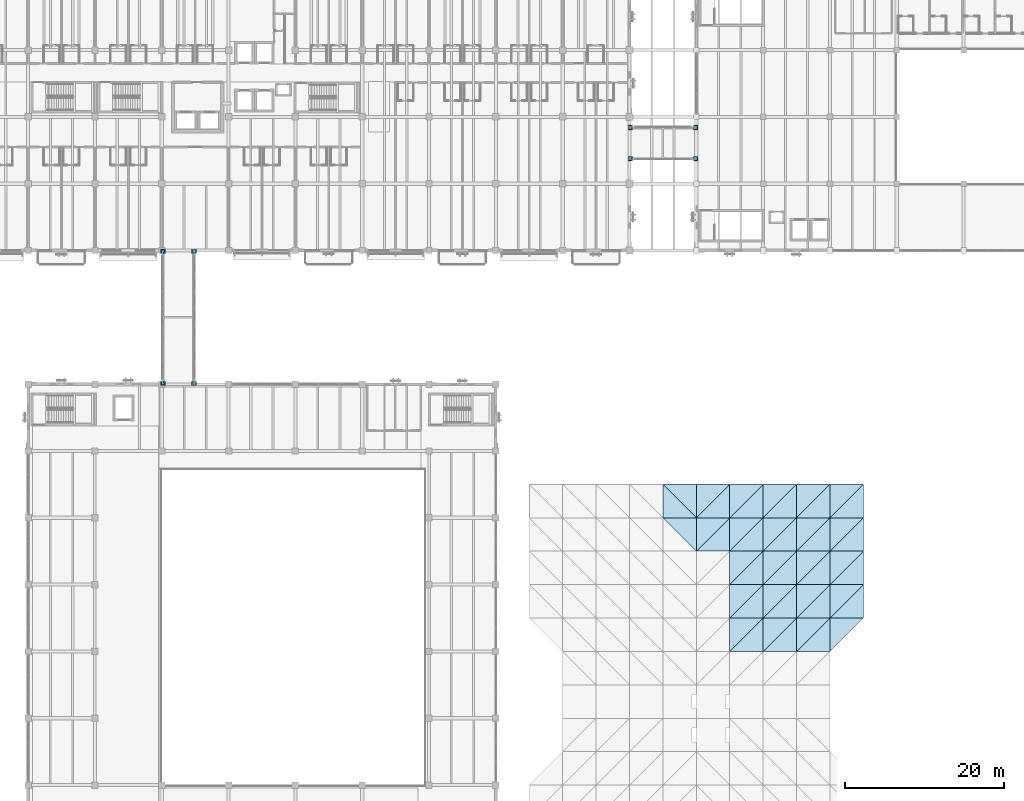
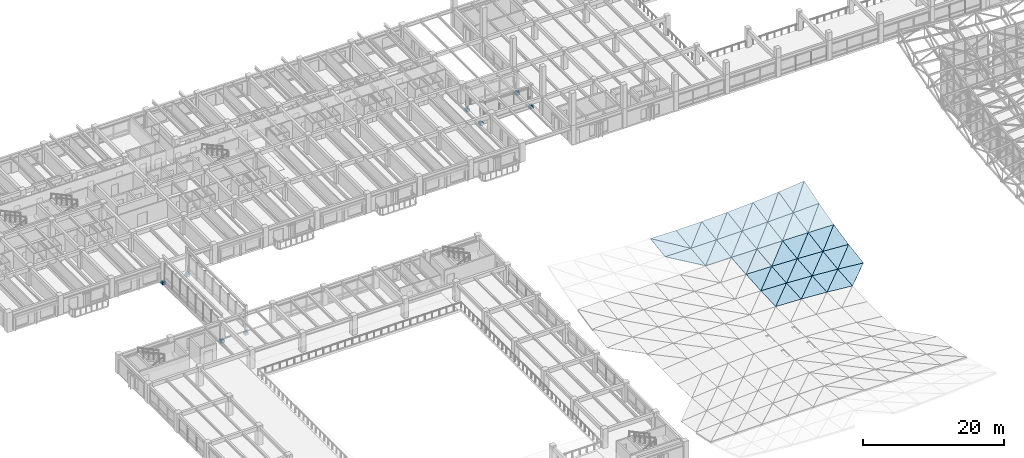
# One storey, part 101 of 123: 46 roofs, 16 discrete accessories.
"""IFC4 building model written with IfcOpenShell, lengths in metres."""

from ifc_helpers import new_model, si_unit, direction, frame, origin, origin_2d, place, context, subcontext, project, spatial, polyline, rectangle, outline, extrude, material, layer, layer_set, type_object, element, save


model = new_model("IFC4")

# Units and contexts
model_context = context("Model", 3, precision=1e-05, world=origin(), true_north=direction((0.0, 1.0)))
body_context = subcontext(model_context, "Body", "Model", "MODEL_VIEW")
ifc_project = project(units=[si_unit("LENGTHUNIT", "METRE"), si_unit("AREAUNIT", "SQUARE_METRE"), si_unit("VOLUMEUNIT", "CUBIC_METRE"), si_unit("PLANEANGLEUNIT", "RADIAN"), si_unit("MASSUNIT", "GRAM", prefix="KILO")], contexts=[model_context])

# Site, building, storey
site_placement = place(None, origin())
site = spatial("IfcSite", under=ifc_project, at=site_placement, CompositionType="ELEMENT")
building_placement = place(site_placement, origin())
building = spatial("IfcBuilding", under=site, at=building_placement, Name="Cumbredor Promenade Congress Hotel", CompositionType="ELEMENT")
storey_placement = place(building_placement, frame((0.0, 0.0, 11.760009765625)))
storey = spatial("IfcBuildingStorey", under=building, at=storey_placement, Name="L03", CompositionType="ELEMENT", Elevation=11.760009765625)

# Roofs
ifc_material_1 = material(Name="Standing-seam zinc-aluminium roofing", Category="aluminium")
ifc_layer = layer(ifc_material_1, 0.050048828125, Name="Standing-seam zinc-aluminium roofing", Category="aluminium")
ifc_layer_set = layer_set([ifc_layer], Name="Standing-seam zinc-aluminium roofing")
roof_type = type_object("IfcRoofType", Name="Sweeping Pavilion Standing-Seam Roof Skin 50mm", PredefinedType="FREEFORM", material=ifc_layer_set)
roof_1_placement = place(storey_placement, frame((92.39990234375, 46.199951171875, 1.74853515625), z_axis=(0.004101183505, -0.112002743884, 0.993699434264), x_axis=(0.0, 0.993707791236, 0.112003685823)))
element("IfcRoof", 1, at=roof_1_placement, inside=storey, type_object=roof_type, Name="Thermal Spa and Hydrotherapy Pavilion Standing-Seam Roof Skin 5.12.2", PredefinedType="FREEFORM", context=body_context, shape_type="SweptSolid", body=[
    extrude(outline(polyline([(0.0, 0.0), (4.226545478377556, 0.0), (4.228486948517547, 4.199986493292828), (0.0, 0.0)])), origin(), (0.0, 0.0, -1.0), 0.050048828125),
])
roof_2_placement = place(storey_placement, frame((88.199951171875, 50.39990234375, 2.2392578125), z_axis=(0.004085862474, -0.141097921799, 0.989987213146), x_axis=(0.999991483272, 0.0, -0.004127151968)))
element("IfcRoof", 2, at=roof_2_placement, inside=storey, type_object=roof_type, Name="Thermal Spa and Hydrotherapy Pavilion Standing-Seam Roof Skin 5.13.1", PredefinedType="FREEFORM", context=body_context, shape_type="SweptSolid", body=[
    extrude(outline(polyline([(0.0, 0.0), (4.199986942021189, 0.0), (-0.0024706485904557735, 4.242640192526839), (0.0, 0.0)])), origin(), (0.0, 0.0, -1.0), 0.050048828125),
])
roof_3_placement = place(storey_placement, frame((92.39990234375, 50.39990234375, 2.221923828125), z_axis=(0.01128982951, -0.134030133758, 0.990912944206), x_axis=(0.0, 0.990976101249, 0.134038676332)))
element("IfcRoof", 3, at=roof_3_placement, inside=storey, type_object=roof_type, Name="Thermal Spa and Hydrotherapy Pavilion Standing-Seam Roof Skin 5.13.2", PredefinedType="FREEFORM", context=body_context, shape_type="SweptSolid", body=[
    extrude(outline(polyline([(0.0, 0.0), (4.238442589286298, 8.673617379884035e-19), (4.244856549384193, 4.200218860879007), (0.0, 0.0)])), origin(), (0.0, 0.0, -1.0), 0.050048828125),
])
roof_4_placement = place(storey_placement, frame((92.39990234375, 46.199951171875, 1.74853515625), z_axis=(0.001962476834, -0.117986347752, 0.993013278073), x_axis=(0.999998047155, 0.0, -0.001976280726)))
element("IfcRoof", 4, at=roof_4_placement, inside=storey, type_object=roof_type, Name="Thermal Spa and Hydrotherapy Pavilion Standing-Seam Roof Skin 6.12.1", PredefinedType="FREEFORM", context=body_context, shape_type="SweptSolid", body=[
    extrude(outline(polyline([(0.0, 0.0), (4.200203514845005, 2.168404344971009e-19), (4.19921730444385, 4.229493263346987), (0.0, 0.0)])), origin(), (0.0, 0.0, -1.0), 0.050048828125),
])
roof_5_placement = place(storey_placement, frame((92.39990234375, 46.199951171875, 1.74853515625), z_axis=(-0.004100945123, -0.112002743994, 0.993699435235), x_axis=(0.704726400074, 0.704685437135, 0.0823355071)))
element("IfcRoof", 5, at=roof_5_placement, inside=storey, type_object=roof_type, Name="Thermal Spa and Hydrotherapy Pavilion Standing-Seam Roof Skin 6.12.2", PredefinedType="FREEFORM", context=body_context, shape_type="SweptSolid", body=[
    extrude(outline(polyline([(0.0, 0.0), (5.9600368484295645, 9.575673587391975e-16), (2.9986211238516898, 2.978583226365211), (0.0, 0.0)])), origin(), (0.0, 0.0, -1.0), 0.050048828125),
])
roof_6_placement = place(storey_placement, frame((92.39990234375, 50.39990234375, 2.221923828125), z_axis=(-0.004085624983, -0.141097921936, 0.989987214106), x_axis=(0.999991484262, 0.0, 0.004126912078)))
element("IfcRoof", 6, at=roof_6_placement, inside=storey, type_object=roof_type, Name="Thermal Spa and Hydrotherapy Pavilion Standing-Seam Roof Skin 6.13.1", PredefinedType="FREEFORM", context=body_context, shape_type="SweptSolid", body=[
    extrude(outline(polyline([(0.0, 0.0), (4.200231080567031, -4.336808689942018e-19), (4.20270158555097, 4.242640192610464), (0.0, 0.0)])), origin(), (0.0, 0.0, -1.0), 0.050048828125),
])
roof_7_placement = place(storey_placement, frame((92.39990234375, 50.39990234375, 2.221923828125), z_axis=(-0.011289173361, -0.134030134751, 0.990912951547), x_axis=(0.703335271872, 0.703335271872, 0.103145483082)))
element("IfcRoof", 7, at=roof_7_placement, inside=storey, type_object=roof_type, Name="Thermal Spa and Hydrotherapy Pavilion Standing-Seam Roof Skin 6.13.2", PredefinedType="FREEFORM", context=body_context, shape_type="SweptSolid", body=[
    extrude(outline(polyline([(0.0, 0.0), (5.971825216895283, 3.677613769070831e-16), (3.012744032330295, 2.981236149373969), (0.0, 0.0)])), origin(), (0.0, 0.0, -1.0), 0.050048828125),
])
roof_8_placement = place(storey_placement, frame((96.60009765625, 33.60009765625, 0.84228515625), z_axis=(0.038685084273, -0.054750703979, 0.997750381944), x_axis=(0.999249200496, 0.0, -0.038743196927)))
element("IfcRoof", 8, at=roof_8_placement, inside=storey, type_object=roof_type, Name="Thermal Spa and Hydrotherapy Pavilion Standing-Seam Roof Skin 7.9.1", PredefinedType="FREEFORM", context=body_context, shape_type="SweptSolid", body=[
    extrude(outline(polyline([(0.0, 0.0), (4.203106862422566, 0.0), (4.194177766255854, 4.206260329806322), (0.0, 0.0)])), origin(), (0.0, 0.0, -1.0), 0.050048828125),
])
roof_9_placement = place(storey_placement, frame((96.60009765625, 33.60009765625, 0.84228515625), z_axis=(0.031339133203, -0.047414947828, 0.998383534246), x_axis=(0.707060952865, 0.707060952865, 0.011384984244)))
element("IfcRoof", 9, at=roof_9_placement, inside=storey, type_object=roof_type, Name="Thermal Spa and Hydrotherapy Pavilion Standing-Seam Roof Skin 7.9.2", PredefinedType="FREEFORM", context=body_context, shape_type="SweptSolid", body=[
    extrude(outline(polyline([(0.0, 0.0), (5.94001288694371, 2.203098814490545e-16), (2.9718923594409286, 2.9744295410662027), (0.0, 0.0)])), origin(), (0.0, 0.0, -1.0), 0.050048828125),
])
roof_10_placement = place(storey_placement, frame((96.60009765625, 37.800048828125, 1.041748046875), z_axis=(0.031269074977, -0.081878651885, 0.996151660801), x_axis=(0.999507701685, 0.0, -0.031374420677)))
element("IfcRoof", 10, at=roof_10_placement, inside=storey, type_object=roof_type, Name="Thermal Spa and Hydrotherapy Pavilion Standing-Seam Roof Skin 7.10.1", PredefinedType="FREEFORM", context=body_context, shape_type="SweptSolid", body=[
    extrude(outline(polyline([(0.0, 0.0), (4.202019819152533, -1.734723475976807e-18), (4.191188903420709, 4.214100832413), (0.0, 0.0)])), origin(), (0.0, 0.0, -1.0), 0.050048828125),
])
roof_11_placement = place(storey_placement, frame((96.60009765625, 37.800048828125, 1.041748046875), z_axis=(0.020463395145, -0.071129138365, 0.997257186053), x_axis=(0.706650933896, 0.706650933896, 0.035901465804)))
element("IfcRoof", 11, at=roof_11_placement, inside=storey, type_object=roof_type, Name="Thermal Spa and Hydrotherapy Pavilion Standing-Seam Roof Skin 7.10.2", PredefinedType="FREEFORM", context=body_context, shape_type="SweptSolid", body=[
    extrude(outline(polyline([(0.0, 0.0), (5.943459451354978, -3.0704605524789486e-16), (2.9786540806543256, 2.976062202841125), (0.0, 0.0)])), origin(), (0.0, 0.0, -1.0), 0.050048828125),
])
roof_12_placement = place(storey_placement, frame((96.60009765625, 42.0, 1.34130859375), z_axis=(0.020393220577, -0.108956413619, 0.993837318924), x_axis=(0.999789537892, 0.0, -0.020515358186)))
element("IfcRoof", 12, at=roof_12_placement, inside=storey, type_object=roof_type, Name="Thermal Spa and Hydrotherapy Pavilion Standing-Seam Roof Skin 7.11.1", PredefinedType="FREEFORM", context=body_context, shape_type="SweptSolid", body=[
    extrude(outline(polyline([(0.0, 0.0), (4.200835288524772, -1.734723475976807e-18), (4.191389007875594, 4.2251052172654315), (0.0, 0.0)])), origin(), (0.0, 0.0, -1.0), 0.050048828125),
])
roof_13_placement = place(storey_placement, frame((96.60009765625, 42.0, 1.34130859375), z_axis=(0.005844663075, -0.094556232315, 0.995502365062), x_axis=(0.705707161596, 0.705707161596, 0.062887233548)))
element("IfcRoof", 13, at=roof_13_placement, inside=storey, type_object=roof_type, Name="Thermal Spa and Hydrotherapy Pavilion Standing-Seam Roof Skin 7.11.2", PredefinedType="FREEFORM", context=body_context, shape_type="SweptSolid", body=[
    extrude(outline(polyline([(0.0, 0.0), (5.95140789328911, 2.5326962749261384e-16), (2.9890229591208577, 2.9773265482523916), (0.0, 0.0)])), origin(), (0.0, 0.0, -1.0), 0.050048828125),
])
roof_14_placement = place(storey_placement, frame((96.60009765625, 46.199951171875, 1.740234375), z_axis=(0.005816583131, -0.135797059638, 0.990719600066), x_axis=(0.99998276572, 0.0, -0.005870967816)))
element("IfcRoof", 14, at=roof_14_placement, inside=storey, type_object=roof_type, Name="Thermal Spa and Hydrotherapy Pavilion Standing-Seam Roof Skin 7.12.1", PredefinedType="FREEFORM", context=body_context, shape_type="SweptSolid", body=[
    extrude(outline(polyline([(0.0, 0.0), (4.20002355625722, 4.336808689942018e-19), (4.196643736406146, 4.239220449925302), (0.0, 0.0)])), origin(), (0.0, 0.0, -1.0), 0.050048828125),
])
roof_15_placement = place(storey_placement, frame((96.60009765625, 46.199951171875, 1.740234375), z_axis=(-0.012294149294, -0.117977658011, 0.992940142256), x_axis=(0.704083438031, 0.704083438031, 0.092374371891)))
element("IfcRoof", 15, at=roof_15_placement, inside=storey, type_object=roof_type, Name="Thermal Spa and Hydrotherapy Pavilion Standing-Seam Roof Skin 7.12.2", PredefinedType="FREEFORM", context=body_context, shape_type="SweptSolid", body=[
    extrude(outline(polyline([(0.0, 0.0), (5.965132745663068, 4.579669976578771e-16), (3.003213037251918, 2.9781413146774307), (0.0, 0.0)])), origin(), (0.0, 0.0, -1.0), 0.050048828125),
])
roof_16_placement = place(storey_placement, frame((96.60009765625, 50.39990234375, 2.2392578125), z_axis=(-0.012216570905, -0.162247278008, 0.986674503661), x_axis=(0.999923357281, 0.0, 0.012380612399)))
element("IfcRoof", 16, at=roof_16_placement, inside=storey, type_object=roof_type, Name="Thermal Spa and Hydrotherapy Pavilion Standing-Seam Roof Skin 7.13.1", PredefinedType="FREEFORM", context=body_context, shape_type="SweptSolid", body=[
    extrude(outline(polyline([(0.0, 0.0), (4.200273092224242, 1.734723475976807e-18), (4.208824057184428, 4.256594634329427), (0.0, 0.0)])), origin(), (0.0, 0.0, -1.0), 0.050048828125),
])
roof_17_placement = place(storey_placement, frame((96.60009765625, 50.39990234375, 2.2392578125), z_axis=(-0.033933670997, -0.141017838793, 0.989425325689), x_axis=(0.701623104217, 0.701663889145, 0.124067748825)))
element("IfcRoof", 17, at=roof_17_placement, inside=storey, type_object=roof_type, Name="Thermal Spa and Hydrotherapy Pavilion Standing-Seam Roof Skin 7.13.2", PredefinedType="FREEFORM", context=body_context, shape_type="SweptSolid", body=[
    extrude(outline(polyline([(0.0, 0.0), (5.986050269195579, -1.8041124150158794e-16), (3.0213964035558916, 2.9784502144451164), (0.0, 0.0)])), origin(), (0.0, 0.0, -1.0), 0.050048828125),
])
roof_18_placement = place(storey_placement, frame((100.800048828125, 33.60009765625, 0.679443359375), z_axis=(0.064303830401, -0.066734758283, 0.995696484594), x_axis=(0.997921098963, 0.0, -0.06444749991)))
element("IfcRoof", 18, at=roof_18_placement, inside=storey, type_object=roof_type, Name="Thermal Spa and Hydrotherapy Pavilion Standing-Seam Roof Skin 8.9.1", PredefinedType="FREEFORM", context=body_context, shape_type="SweptSolid", body=[
    extrude(outline(polyline([(0.0, 0.0), (4.208700644008552, 0.0), (4.19055905040602, 4.209334826302364), (0.0, 0.0)])), origin(), (0.0, 0.0, -1.0), 0.050048828125),
])
roof_19_placement = place(storey_placement, frame((100.800048828125, 33.60009765625, 0.679443359375), z_axis=(0.052282348828, -0.054716781922, 0.997132202758), x_axis=(0.707105727493, 0.707105727493, 0.001726352413)))
element("IfcRoof", 19, at=roof_19_placement, inside=storey, type_object=roof_type, Name="Thermal Spa and Hydrotherapy Pavilion Standing-Seam Roof Skin 8.9.2", PredefinedType="FREEFORM", context=body_context, shape_type="SweptSolid", body=[
    extrude(outline(polyline([(0.0, 0.0), (5.93963675950489, -2.806999424564971e-16), (2.97020739910715, 2.9783508351350894), (0.0, 0.0)])), origin(), (0.0, 0.0, -1.0), 0.050048828125),
])
roof_20_placement = place(storey_placement, frame((100.800048828125, 37.800048828125, 0.909912109375), z_axis=(0.052099332578, -0.099808920947, 0.993641705468), x_axis=(0.998628232976, 0.0, -0.052360789754)))
element("IfcRoof", 20, at=roof_20_placement, inside=storey, type_object=roof_type, Name="Thermal Spa and Hydrotherapy Pavilion Standing-Seam Roof Skin 8.10.1", PredefinedType="FREEFORM", context=body_context, shape_type="SweptSolid", body=[
    extrude(outline(polyline([(0.0, 0.0), (4.2057204404884105, 0.0), (4.183630732310792, 4.221028358889788), (0.0, 0.0)])), origin(), (0.0, 0.0, -1.0), 0.050048828125),
])
roof_21_placement = place(storey_placement, frame((100.800048828125, 37.800048828125, 0.909912109375), z_axis=(0.034045457996, -0.08187122042, 0.996061248145), x_axis=(0.7066995871, 0.7066995871, 0.033932096666)))
element("IfcRoof", 21, at=roof_21_placement, inside=storey, type_object=roof_type, Name="Thermal Spa and Hydrotherapy Pavilion Standing-Seam Roof Skin 8.10.2", PredefinedType="FREEFORM", context=body_context, shape_type="SweptSolid", body=[
    extrude(outline(polyline([(0.0, 0.0), (5.943050269927653, 3.7816971776294395e-16), (2.9798176224547084, 2.9798406117421607), (0.0, 0.0)])), origin(), (0.0, 0.0, -1.0), 0.050048828125),
])
roof_22_placement = place(storey_placement, frame((100.800048828125, 42.0, 1.255126953125), z_axis=(0.033857916792, -0.132725337086, 0.990574392141), x_axis=(0.999416372229, 0.0, -0.034160136422)))
element("IfcRoof", 22, at=roof_22_placement, inside=storey, type_object=roof_type, Name="Thermal Spa and Hydrotherapy Pavilion Standing-Seam Roof Skin 8.11.1", PredefinedType="FREEFORM", context=body_context, shape_type="SweptSolid", body=[
    extrude(outline(polyline([(0.0, 0.0), (4.202403811443803, 0.0), (4.183180394829272, 4.2374404154153735), (0.0, 0.0)])), origin(), (0.0, 0.0, -1.0), 0.050048828125),
])
roof_23_placement = place(storey_placement, frame((100.800048828125, 42.0, 1.255126953125), z_axis=(0.009764891812, -0.108973881402, 0.993996649924), x_axis=(0.705352341057, 0.705352341057, 0.070399928477)))
element("IfcRoof", 23, at=roof_23_placement, inside=storey, type_object=roof_type, Name="Thermal Spa and Hydrotherapy Pavilion Standing-Seam Roof Skin 8.11.2", PredefinedType="FREEFORM", context=body_context, shape_type="SweptSolid", body=[
    extrude(outline(polyline([(0.0, 0.0), (5.954401690336285, 2.2898349882893854e-16), (2.994860983476361, 2.980337400166746), (0.0, 0.0)])), origin(), (0.0, 0.0, -1.0), 0.050048828125),
])
roof_24_placement = place(storey_placement, frame((100.800048828125, 46.199951171875, 1.715576171875), z_axis=(0.009688390753, -0.165218592604, 0.986209385345), x_axis=(0.999951749302, 0.0, -0.009823393922)))
element("IfcRoof", 24, at=roof_24_placement, inside=storey, type_object=roof_type, Name="Thermal Spa and Hydrotherapy Pavilion Standing-Seam Roof Skin 8.12.1", PredefinedType="FREEFORM", context=body_context, shape_type="SweptSolid", body=[
    extrude(outline(polyline([(0.0, 0.0), (4.200153832229674, -8.673617379884035e-19), (4.193241961799537, 4.25847551615983), (0.0, 0.0)])), origin(), (0.0, 0.0, -1.0), 0.050048828125),
])
roof_25_placement = place(storey_placement, frame((100.800048828125, 46.199951171875, 1.715576171875), z_axis=(-0.020440500208, -0.135770984479, 0.990529366412), x_axis=(0.702750773455, 0.702750773455, 0.11082734688)))
element("IfcRoof", 25, at=roof_25_placement, inside=storey, type_object=roof_type, Name="Thermal Spa and Hydrotherapy Pavilion Standing-Seam Roof Skin 8.12.2", PredefinedType="FREEFORM", context=body_context, shape_type="SweptSolid", body=[
    extrude(outline(polyline([(0.0, 0.0), (5.976444751851152, 2.0816681711721685e-16), (3.015320419846652, 2.979738950294625), (0.0, 0.0)])), origin(), (0.0, 0.0, -1.0), 0.050048828125),
])
roof_26_placement = place(storey_placement, frame((100.800048828125, 50.39990234375, 2.291259765625), z_axis=(-0.020227388491, -0.196963429546, 0.980202152709), x_axis=(0.99978714706, 0.0, 0.020631543173)))
element("IfcRoof", 26, at=roof_26_placement, inside=storey, type_object=roof_type, Name="Thermal Spa and Hydrotherapy Pavilion Standing-Seam Roof Skin 8.13.1", PredefinedType="FREEFORM", context=body_context, shape_type="SweptSolid", body=[
    extrude(outline(polyline([(0.0, 0.0), (4.20084533415502, 0.0), (4.218258235705141, 4.284117594489665), (0.0, 0.0)])), origin(), (0.0, 0.0, -1.0), 0.050048828125),
])
roof_27_placement = place(storey_placement, frame((100.800048828125, 50.39990234375, 2.291259765625), z_axis=(-0.056294555694, -0.162002076363, 0.985183358697), x_axis=(0.698563536249, 0.698604143325, 0.154794175445)))
element("IfcRoof", 27, at=roof_27_placement, inside=storey, type_object=roof_type, Name="Thermal Spa and Hydrotherapy Pavilion Standing-Seam Roof Skin 8.13.2", PredefinedType="FREEFORM", context=body_context, shape_type="SweptSolid", body=[
    extrude(outline(polyline([(0.0, 0.0), (6.012267966958073, -3.0531133177191805e-16), (3.04118613381487, 2.9782306659317), (0.0, 0.0)])), origin(), (0.0, 0.0, -1.0), 0.050048828125),
])
roof_28_placement = place(storey_placement, frame((105.0, 33.60009765625, 0.408203125), z_axis=(0.089710388059, -0.08342200716, 0.992468042304), x_axis=(0.995939579594, 0.0, -0.090024184518)))
element("IfcRoof", 28, at=roof_28_placement, inside=storey, type_object=roof_type, Name="Thermal Spa and Hydrotherapy Pavilion Standing-Seam Roof Skin 9.9.1", PredefinedType="FREEFORM", context=body_context, shape_type="SweptSolid", body=[
    extrude(outline(polyline([(0.0, 0.0), (4.21707426627955, 0.0), (4.185293267545788, 4.214642110510552), (0.0, 0.0)])), origin(), (0.0, 0.0, -1.0), 0.050048828125),
])
roof_29_placement = place(storey_placement, frame((105.0, 33.60009765625, 0.408203125), z_axis=(0.072999794171, -0.066694740633, 0.995099412935), x_axis=(0.707099684378, 0.707099684378, -0.004480257257)))
element("IfcRoof", 29, at=roof_29_placement, inside=storey, type_object=roof_type, Name="Thermal Spa and Hydrotherapy Pavilion Standing-Seam Roof Skin 9.9.2", PredefinedType="FREEFORM", context=body_context, shape_type="SweptSolid", body=[
    extrude(outline(polyline([(0.0, 0.0), (5.939687521667529, 4.2630829422130034e-16), (2.9685229818693646, 2.9844095066618803), (0.0, 0.0)])), origin(), (0.0, 0.0, -1.0), 0.050048828125),
])
roof_30_placement = place(storey_placement, frame((105.0, 37.800048828125, 0.689697265625), z_axis=(0.072591572305, -0.124705648778, 0.989534721368), x_axis=(0.997320018789, 0.0, -0.073162696257)))
element("IfcRoof", 30, at=roof_30_placement, inside=storey, type_object=roof_type, Name="Thermal Spa and Hydrotherapy Pavilion Standing-Seam Roof Skin 9.10.1", PredefinedType="FREEFORM", context=body_context, shape_type="SweptSolid", body=[
    extrude(outline(polyline([(0.0, 0.0), (4.211237208470671, 0.0), (4.172512421975205, 4.23299485222104), (0.0, 0.0)])), origin(), (0.0, 0.0, -1.0), 0.050048828125),
])
roof_31_placement = place(storey_placement, frame((105.0, 37.800048828125, 0.689697265625), z_axis=(0.047489476072, -0.099831891305, 0.993870385483), x_axis=(0.706616978007, 0.706616978007, 0.037214147653)))
element("IfcRoof", 31, at=roof_31_placement, inside=storey, type_object=roof_type, Name="Thermal Spa and Hydrotherapy Pavilion Standing-Seam Roof Skin 9.10.2", PredefinedType="FREEFORM", context=body_context, shape_type="SweptSolid", body=[
    extrude(outline(polyline([(0.0, 0.0), (5.943745059343244, 7.979727989493313e-17), (2.9834565233868404, 2.986060202812343), (0.0, 0.0)])), origin(), (0.0, 0.0, -1.0), 0.050048828125),
])
roof_32_placement = place(storey_placement, frame((105.0, 42.0, 1.111572265625), z_axis=(0.0470693753, -0.165544481744, 0.985078422499), x_axis=(0.998860373953, 0.0, -0.047727909515)))
element("IfcRoof", 32, at=roof_32_placement, inside=storey, type_object=roof_type, Name="Thermal Spa and Hydrotherapy Pavilion Standing-Seam Roof Skin 9.11.1", PredefinedType="FREEFORM", context=body_context, shape_type="SweptSolid", body=[
    extrude(outline(polyline([(0.0, 0.0), (4.20474300652663, -6.938893903907228e-18), (4.171056144610535, 4.258711491701266), (0.0, 0.0)])), origin(), (0.0, 0.0, -1.0), 0.050048828125),
])
roof_33_placement = place(storey_placement, frame((105.0, 42.0, 1.111572265625), z_axis=(0.01359577095, -0.132789203556, 0.991051049357), x_axis=(0.704563527737, 0.704563527737, 0.084737658483)))
element("IfcRoof", 33, at=roof_33_placement, inside=storey, type_object=roof_type, Name="Thermal Spa and Hydrotherapy Pavilion Standing-Seam Roof Skin 9.11.2", PredefinedType="FREEFORM", context=body_context, shape_type="SweptSolid", body=[
    extrude(outline(polyline([(0.0, 0.0), (5.961068103204468, 1.6653345369377348e-16), (3.0068180347816837, 2.98585266208056), (0.0, 0.0)])), origin(), (0.0, 0.0, -1.0), 0.050048828125),
])
roof_34_placement = place(storey_placement, frame((105.0, 46.199951171875, 1.67431640625), z_axis=(0.013424112816, -0.205627829795, 0.978538189755), x_axis=(0.999905914145, 0.0, -0.013717246744)))
element("IfcRoof", 34, at=roof_34_placement, inside=storey, type_object=roof_type, Name="Thermal Spa and Hydrotherapy Pavilion Standing-Seam Roof Skin 9.12.1", PredefinedType="FREEFORM", context=body_context, shape_type="SweptSolid", body=[
    extrude(outline(polyline([(0.0, 0.0), (4.2003463650548625, -1.734723475976807e-18), (4.1882399571008095, 4.291662870029578), (0.0, 0.0)])), origin(), (0.0, 0.0, -1.0), 0.050048828125),
])
roof_35_placement = place(storey_placement, frame((105.0, 46.199951171875, 1.67431640625), z_axis=(-0.028481672708, -0.165159317392, 0.985855564572), x_axis=(0.700383757265, 0.700383757265, 0.137568837749)))
element("IfcRoof", 35, at=roof_35_placement, inside=storey, type_object=roof_type, Name="Thermal Spa and Hydrotherapy Pavilion Standing-Seam Roof Skin 9.12.2", PredefinedType="FREEFORM", context=body_context, shape_type="SweptSolid", body=[
    extrude(outline(polyline([(0.0, 0.0), (5.996642738086562, -9.71445146547012e-17), (3.0383728434123665, 2.9837814866541126), (0.0, 0.0)])), origin(), (0.0, 0.0, -1.0), 0.050048828125),
])
roof_36_placement = place(storey_placement, frame((105.0, 50.39990234375, 2.3779296875), z_axis=(-0.0280028843, -0.24434899374, 0.969282934818), x_axis=(0.999582936058, 0.0, 0.028878260723)))
element("IfcRoof", 36, at=roof_36_placement, inside=storey, type_object=roof_type, Name="Thermal Spa and Hydrotherapy Pavilion Standing-Seam Roof Skin 9.13.1", PredefinedType="FREEFORM", context=body_context, shape_type="SweptSolid", body=[
    extrude(outline(polyline([(0.0, 0.0), (4.20170355092259, -3.469446951953614e-18), (4.232280947591628, 4.33149435698387), (0.0, 0.0)])), origin(), (0.0, 0.0, -1.0), 0.050048828125),
])
roof_37_placement = place(storey_placement, frame((105.0, 50.39990234375, 2.3779296875), z_axis=(-0.078234999777, -0.196399908178, 0.977397749577), x_axis=(0.693529329702, 0.693569644143, 0.194880008125)))
element("IfcRoof", 37, at=roof_37_placement, inside=storey, type_object=roof_type, Name="Thermal Spa and Hydrotherapy Pavilion Standing-Seam Roof Skin 9.13.2", PredefinedType="FREEFORM", context=body_context, shape_type="SweptSolid", body=[
    extrude(outline(polyline([(0.0, 0.0), (6.055909955071179, -7.771561172376096e-16), (3.0776055532038447, 2.980320592058036), (0.0, 0.0)])), origin(), (0.0, 0.0, -1.0), 0.050048828125),
])
roof_38_placement = place(storey_placement, frame((109.199951171875, 33.60009765625, 0.028564453125), z_axis=(0.093599759322, -0.083392022169, 0.992111312149), x_axis=(0.707088068079, 0.707088068079, -0.007275160614)))
element("IfcRoof", 38, at=roof_38_placement, inside=storey, type_object=roof_type, Name="Thermal Spa and Hydrotherapy Pavilion Standing-Seam Roof Skin 10.9.2", PredefinedType="FREEFORM", context=body_context, shape_type="SweptSolid", body=[
    extrude(outline(polyline([(0.0, 0.0), (5.93978510101035, 4.2500725161431774e-16), (2.967167029518156, 2.9933489556865513), (0.0, 0.0)])), origin(), (0.0, 0.0, -1.0), 0.050048828125),
])
roof_39_placement = place(storey_placement, frame((109.199951171875, 37.800048828125, 0.381591796875), z_axis=(0.0927736666, -0.156223309191, 0.983355136485), x_axis=(0.99557909429, 0.0, -0.093926923794)))
element("IfcRoof", 39, at=roof_39_placement, inside=storey, type_object=roof_type, Name="Thermal Spa and Hydrotherapy Pavilion Standing-Seam Roof Skin 10.10.1", PredefinedType="FREEFORM", context=body_context, shape_type="SweptSolid", body=[
    extrude(outline(polyline([(0.0, 0.0), (4.218601210054317, 0.0), (4.155929754309781, 4.252160210097779), (0.0, 0.0)])), origin(), (0.0, 0.0, -1.0), 0.050048828125),
])
roof_40_placement = place(storey_placement, frame((109.199951171875, 37.800048828125, 0.381591796875), z_axis=(0.060904982038, -0.124803403648, 0.990310402652), x_axis=(0.706371954028, 0.706371954028, 0.045577682321)))
element("IfcRoof", 40, at=roof_40_placement, inside=storey, type_object=roof_type, Name="Thermal Spa and Hydrotherapy Pavilion Standing-Seam Roof Skin 10.10.2", PredefinedType="FREEFORM", context=body_context, shape_type="SweptSolid", body=[
    extrude(outline(polyline([(0.0, 0.0), (5.945806806068974, 5.898059818321144e-16), (2.9908518409212133, 2.9957553794789633), (0.0, 0.0)])), origin(), (0.0, 0.0, -1.0), 0.050048828125),
])
roof_41_placement = place(storey_placement, frame((109.199951171875, 42.0, 0.910888671875), z_axis=(0.060055898994, -0.206960120729, 0.976504376551), x_axis=(0.998114167579, 0.0, -0.061384920613)))
element("IfcRoof", 41, at=roof_41_placement, inside=storey, type_object=roof_type, Name="Thermal Spa and Hydrotherapy Pavilion Standing-Seam Roof Skin 10.11.1", PredefinedType="FREEFORM", context=body_context, shape_type="SweptSolid", body=[
    extrude(outline(polyline([(0.0, 0.0), (4.2078865407385395, -6.938893903907228e-18), (4.153245568923723, 4.292895012506168), (0.0, 0.0)])), origin(), (0.0, 0.0, -1.0), 0.050048828125),
])
roof_42_placement = place(storey_placement, frame((109.199951171875, 42.0, 0.910888671875), z_axis=(0.017367022626, -0.165703176277, 0.986022740051), x_axis=(0.703139633921, 0.703139633921, 0.105779536859)))
element("IfcRoof", 42, at=roof_42_placement, inside=storey, type_object=roof_type, Name="Thermal Spa and Hydrotherapy Pavilion Standing-Seam Roof Skin 10.11.2", PredefinedType="FREEFORM", context=body_context, shape_type="SweptSolid", body=[
    extrude(outline(polyline([(0.0, 0.0), (5.973139571798476, 0.0), (3.027812442238127, 2.995014221809667), (0.0, 0.0)])), origin(), (0.0, 0.0, -1.0), 0.050048828125),
])
roof_43_placement = place(storey_placement, frame((109.199951171875, 46.199951171875, 1.61669921875), z_axis=(0.017023757337, -0.255974384252, 0.966533655023), x_axis=(0.99984492355, 0.0, -0.017610475605)))
element("IfcRoof", 43, at=roof_43_placement, inside=storey, type_object=roof_type, Name="Thermal Spa and Hydrotherapy Pavilion Standing-Seam Roof Skin 10.12.1", PredefinedType="FREEFORM", context=body_context, shape_type="SweptSolid", body=[
    extrude(outline(polyline([(0.0, 0.0), (4.200602586411427, 0.0), (4.181014371846695, 4.344701125027913), (0.0, 0.0)])), origin(), (0.0, 0.0, -1.0), 0.050048828125),
])
roof_44_placement = place(storey_placement, frame((109.199951171875, 46.199951171875, 1.61669921875), z_axis=(-0.036270000031, -0.205511050332, 0.977982461647), x_axis=(0.69654371114, 0.69654371114, 0.17220254627)))
element("IfcRoof", 44, at=roof_44_placement, inside=storey, type_object=roof_type, Name="Thermal Spa and Hydrotherapy Pavilion Standing-Seam Roof Skin 10.12.2", PredefinedType="FREEFORM", context=body_context, shape_type="SweptSolid", body=[
    extrude(outline(polyline([(0.0, 0.0), (6.029702235053356, -5.551115123125783e-17), (3.0774300946073967, 2.9913108778441555), (0.0, 0.0)])), origin(), (0.0, 0.0, -1.0), 0.050048828125),
])
roof_45_placement = place(storey_placement, frame((109.199951171875, 50.39990234375, 2.499267578125), z_axis=(-0.035322238058, -0.302712807403, 0.952427055334), x_axis=(0.999313002329, 0.0, 0.037061076294)))
element("IfcRoof", 45, at=roof_45_placement, inside=storey, type_object=roof_type, Name="Thermal Spa and Hydrotherapy Pavilion Standing-Seam Roof Skin 10.13.1", PredefinedType="FREEFORM", context=body_context, shape_type="SweptSolid", body=[
    extrude(outline(polyline([(0.0, 0.0), (4.202838512144161, -6.938893903907228e-18), (4.252313601298378, 4.406961944849426), (0.0, 0.0)])), origin(), (0.0, 0.0, -1.0), 0.050048828125),
])
roof_46_placement = place(storey_placement, frame((109.199951171875, 50.39990234375, 2.499267578125), z_axis=(-0.099219323878, -0.243238663203, 0.964878478614), x_axis=(0.685817291618, 0.685857157763, 0.24342268108)))
element("IfcRoof", 46, at=roof_46_placement, inside=storey, type_object=roof_type, Name="Thermal Spa and Hydrotherapy Pavilion Standing-Seam Roof Skin 10.13.2", PredefinedType="FREEFORM", context=body_context, shape_type="SweptSolid", body=[
    extrude(outline(polyline([(0.0, 0.0), (6.12400886243139, -2.498001805406602e-16), (3.138479177243834, 2.9854190318575107), (0.0, 0.0)])), origin(), (0.0, 0.0, -1.0), 0.050048828125),
])

# Discrete accessories
ifc_material_2 = material(Name="Concrete C50/60", Category="concrete")
discrete_accessory_type_1 = type_object("IfcDiscreteAccessoryType", Name="Bridge Seat Corbel RC 600x550", PredefinedType="BRACKET", material=ifc_material_2)
for number, where, z_axis, x_axis, name in (
    (47, (25.35009765625, 67.280029296875, -0.7900390625), (0.0, 0.0, 1.0), (0.0, 1.0, 0.0), "L03 West Congress-to-Hotel Glazed Bridge 550mm RC Bridge Seat Corbel 1"),
    (48, (29.25, 67.280029296875, -0.7900390625), (0.0, 0.0, 1.0), (0.0, 1.0, 0.0), "L03 West Congress-to-Hotel Glazed Bridge 550mm RC Bridge Seat Corbel 2"),
    (49, (25.35009765625, 83.919921875, -0.7900390625), (0.0, 0.0, 1.0), (0.0, 1.0, 0.0), "L03 West Congress-to-Hotel Glazed Bridge 550mm RC Bridge Seat Corbel 3"),
    (50, (29.25, 83.919921875, -0.7900390625), (0.0, 0.0, 1.0), (0.0, 1.0, 0.0), "L03 West Congress-to-Hotel Glazed Bridge 550mm RC Bridge Seat Corbel 4"),
    (51, (84.080078125, 95.550048828125, -0.7900390625), (0.0, 0.0, 1.0), (1.0, 0.0, 0.0), "L03 North Hotel-to-Forum Glazed Bridge 550mm RC Bridge Seat Corbel 1"),
    (52, (84.080078125, 99.449951171875, -0.7900390625), (0.0, 0.0, 1.0), (1.0, 0.0, 0.0), "L03 North Hotel-to-Forum Glazed Bridge 550mm RC Bridge Seat Corbel 2"),
    (53, (92.320068359375, 95.550048828125, -0.7900390625), (0.0, 0.0, 1.0), (1.0, 0.0, 0.0), "L03 North Hotel-to-Forum Glazed Bridge 550mm RC Bridge Seat Corbel 3"),
    (54, (92.320068359375, 99.449951171875, -0.7900390625), (0.0, 0.0, 1.0), (1.0, 0.0, 0.0), "L03 North Hotel-to-Forum Glazed Bridge 550mm RC Bridge Seat Corbel 4"),
):
    element("IfcDiscreteAccessory", number, at=place(storey_placement, frame(where, z_axis=z_axis, x_axis=x_axis)), inside=storey, type_object=discrete_accessory_type_1, Name=name, PredefinedType="BRACKET", context=body_context, shape_type="SweptSolid", body=[
        extrude(rectangle(XDim=0.550048828125, YDim=0.60009765625, at=origin_2d()), origin(), (0.0, 0.0, 1.0), 0.449951171875),
    ])
ifc_material_3 = material(Name="Steel ASTM A572 Grade 50", Category="steel")
discrete_accessory_type_2 = type_object("IfcDiscreteAccessoryType", Name="Bridge Unguided PTFE Sliding Bearing BRG-01", PredefinedType="SHOE", material=ifc_material_3)
for number, where, z_axis, x_axis, name in (
    (55, (25.35009765625, 67.280029296875, -0.340087890625), (0.0, 0.0, 1.0), (0.0, 1.0, 0.0), "L03 West Congress-to-Hotel Glazed Bridge Unguided PTFE Sliding Bearing BRG-01"),
    (56, (29.25, 67.280029296875, -0.340087890625), (0.0, 0.0, 1.0), (0.0, 1.0, 0.0), "L03 West Congress-to-Hotel Glazed Bridge Unguided PTFE Sliding Bearing BRG-01"),
    (57, (25.35009765625, 83.919921875, -0.340087890625), (0.0, 0.0, 1.0), (0.0, 1.0, 0.0), "L03 West Congress-to-Hotel Glazed Bridge Unguided PTFE Sliding Bearing BRG-01"),
    (58, (29.25, 83.919921875, -0.340087890625), (0.0, 0.0, 1.0), (0.0, 1.0, 0.0), "L03 West Congress-to-Hotel Glazed Bridge Unguided PTFE Sliding Bearing BRG-01"),
    (59, (84.080078125, 95.550048828125, -0.340087890625), (0.0, 0.0, 1.0), (1.0, 0.0, 0.0), "L03 North Hotel-to-Forum Glazed Bridge Unguided PTFE Sliding Bearing BRG-01"),
    (60, (84.080078125, 99.449951171875, -0.340087890625), (0.0, 0.0, 1.0), (1.0, 0.0, 0.0), "L03 North Hotel-to-Forum Glazed Bridge Unguided PTFE Sliding Bearing BRG-01"),
    (61, (92.320068359375, 95.550048828125, -0.340087890625), (0.0, 0.0, 1.0), (1.0, 0.0, 0.0), "L03 North Hotel-to-Forum Glazed Bridge Unguided PTFE Sliding Bearing BRG-01"),
    (62, (92.320068359375, 99.449951171875, -0.340087890625), (0.0, 0.0, 1.0), (1.0, 0.0, 0.0), "L03 North Hotel-to-Forum Glazed Bridge Unguided PTFE Sliding Bearing BRG-01"),
):
    element("IfcDiscreteAccessory", number, at=place(storey_placement, frame(where, z_axis=z_axis, x_axis=x_axis)), inside=storey, type_object=discrete_accessory_type_2, Name=name, PredefinedType="SHOE", context=body_context, shape_type="SweptSolid", body=[
        extrude(rectangle(XDim=0.300048828125, YDim=0.39990234375, at=origin_2d()), origin(), (0.0, 0.0, 1.0), 0.1201171875),
    ])

save(model, "model.ifc")
